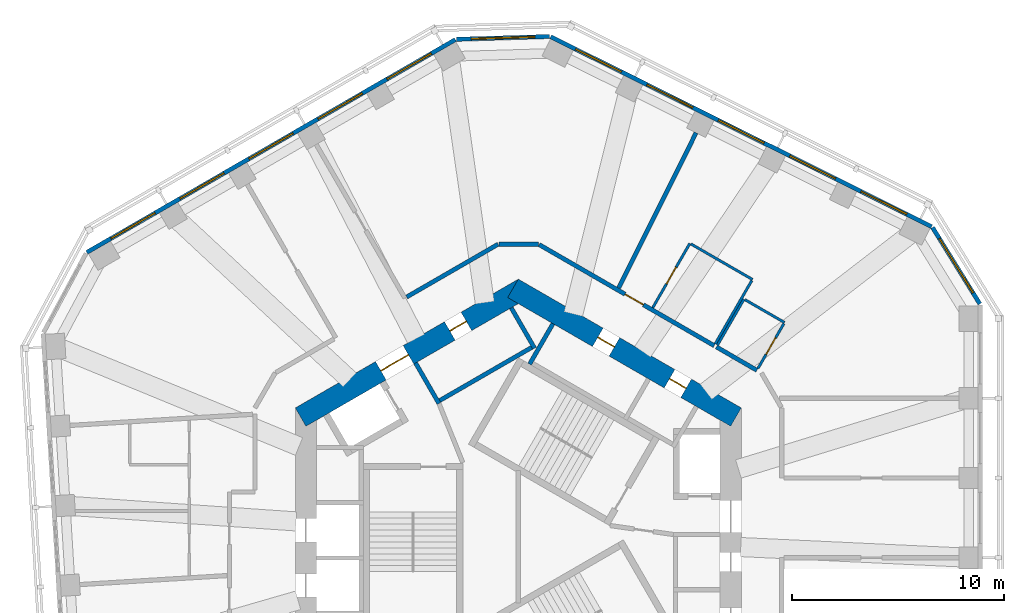
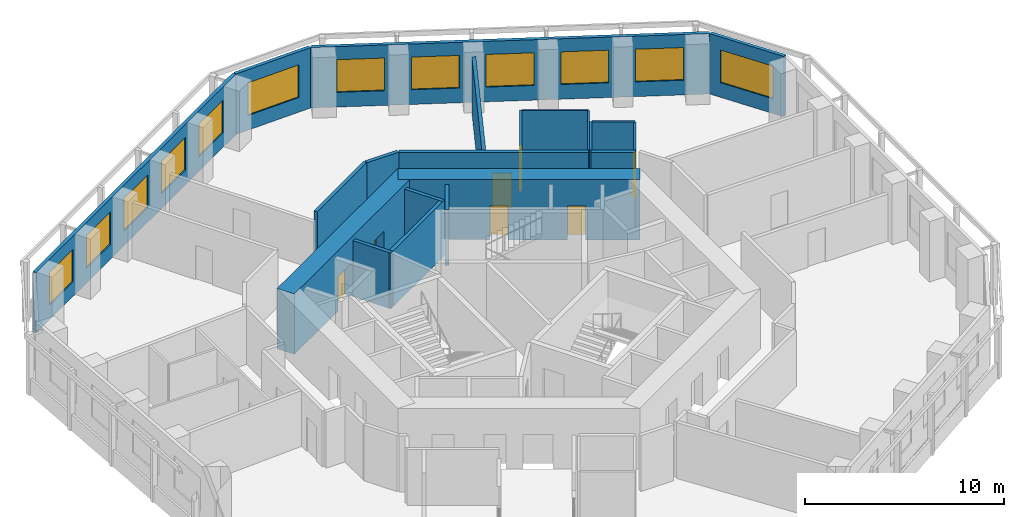
# One storey, part 7 of 10: 21 walls, 12 windows, 7 doors, 19 openings.
"""IFC4 building model written with IfcOpenShell, lengths in metres."""

from ifc_helpers import new_model, si_unit, direction, frame, frame_2d, origin, place, context, subcontext, project, spatial, rectangle, extrude, material, layer, layer_set, type_object, element, fill, save


model = new_model("IFC4")

# Units and contexts
model_context = context("Model", 3, precision=1e-05, world=origin(), true_north=direction((0.0, 1.0)))
body_context = subcontext(model_context, "Body", "Model", "MODEL_VIEW")
ifc_project = project(units=[si_unit("LENGTHUNIT", "METRE"), si_unit("AREAUNIT", "SQUARE_METRE"), si_unit("VOLUMEUNIT", "CUBIC_METRE"), si_unit("PLANEANGLEUNIT", "RADIAN"), si_unit("MASSUNIT", "GRAM", prefix="KILO")], contexts=[model_context])

# Site, building, storey
site_placement = place(None, origin())
site = spatial("IfcSite", under=ifc_project, at=site_placement, CompositionType="ELEMENT")
building_placement = place(site_placement, origin())
building = spatial("IfcBuilding", under=site, at=building_placement, Name="Vanh Sen Convention Tower", CompositionType="ELEMENT")
storey_placement = place(building_placement, frame((0.0, 0.0, 165.10009765625)))
storey = spatial("IfcBuildingStorey", under=building, at=storey_placement, Name="L40", CompositionType="ELEMENT", Elevation=165.10009765625)

# Wall, opening, door
ifc_material_1 = material(Name="Moisture-resistant gypsum board on steel studs", Category="steel")
ifc_layer_1 = layer(ifc_material_1, 0.1201171875)
ifc_layer_set_1 = layer_set([ifc_layer_1], Name="Moisture-resistant gypsum board on steel studs")
wall_type_1 = type_object("IfcWallType", Name="Bathroom partition 120", PredefinedType="PARTITIONING", material=ifc_layer_set_1)
wall_1_placement = place(storey_placement, frame((6.329833984375, 10.779296875, 0.0), z_axis=(0.0, 0.0, 1.0), x_axis=(0.500010275428, 0.866019471182, 0.0)))
wall_1 = element("IfcWall", 1, at=wall_1_placement, inside=storey, type_object=wall_type_1, Name="Bathroom partition 120", PredefinedType="PARTITIONING", context=body_context, shape_type="SweptSolid", body=[
    extrude(rectangle(XDim=3.5, YDim=0.1201171875, at=frame_2d((1.75, 0.0))), origin(), (0.0, 0.0, 1.0), 3.419921875),
])
opening_1_placement = place(wall_1_placement, frame((1.300048828125, 0.0, 0.0)))
opening_1 = element("IfcOpeningElement", 2, at=opening_1_placement, cuts=wall_1, Name="Opening D38104", PredefinedType="OPENING", context=body_context, shape_type="SweptSolid", body=[
    extrude(rectangle(XDim=0.89990234375, YDim=2.10009765625, at=frame_2d((0.449951171875, 1.050048828125))), frame((0.0, 0.070068359375, 0.0), z_axis=(0.0, -1.0, 0.0), x_axis=(1.0, 0.0, 0.0)), (0.0, 0.0, 1.0), 0.14013671875),
])
ifc_material_2 = material(Name="Laminate door in steel frame", Category="steel")
door_type_1 = type_object("IfcDoorType", Name="Room internal door 900", OperationType="SINGLE_SWING_LEFT", PredefinedType="DOOR", material=ifc_material_2)
door_1_placement = place(opening_1_placement, origin())
door_1 = element("IfcDoor", 3, at=door_1_placement, inside=storey, type_object=door_type_1, Name="Internal room door D38104", OperationType="SINGLE_SWING_LEFT", OverallHeight=2.10009765625, OverallWidth=0.89990234375, PredefinedType="DOOR", context=body_context, shape_type="SweptSolid", body=[
    extrude(rectangle(XDim=0.89990234375, YDim=2.10009765625, at=frame_2d((0.449951171875, 1.050048828125))), frame((0.0, 0.02490234375, 0.0), z_axis=(0.0, -1.0, 0.0), x_axis=(1.0, 0.0, 0.0)), (0.0, 0.0, 1.0), 0.050048828125),
])
fill(opening_1, door_1)

# Walls
wall_2_placement = place(storey_placement, frame((8.1318359375, 13.7802734375, 0.0), z_axis=(0.0, 0.0, 1.0), x_axis=(0.866039519639, -0.499975549825, 0.0)))
element("IfcWall", 4, at=wall_2_placement, inside=storey, type_object=wall_type_1, Name="Bathroom partition 120", PredefinedType="PARTITIONING", context=body_context, shape_type="SweptSolid", body=[
    extrude(rectangle(XDim=3.340087890625, YDim=0.1201171875, at=frame_2d((1.669921875, 0.0))), origin(), (0.0, 0.0, 1.0), 3.419921875),
])
wall_3_placement = place(storey_placement, frame((9.378173828125, 9.019287109375, 0.0), z_axis=(0.0, 0.0, 1.0), x_axis=(0.500004234368, 0.866022959057, 0.0)))
element("IfcWall", 5, at=wall_3_placement, inside=storey, type_object=wall_type_1, Name="Bathroom partition 120", PredefinedType="PARTITIONING", context=body_context, shape_type="SweptSolid", body=[
    extrude(rectangle(XDim=2.5, YDim=0.1201171875, at=frame_2d((1.25, 0.0))), origin(), (0.0, 0.0, 1.0), 3.419921875),
])
wall_4_placement = place(storey_placement, frame((10.68017578125, 11.154296875, 0.0), z_axis=(0.0, 0.0, 1.0), x_axis=(0.86600889856, -0.500028586798, 0.0)))
element("IfcWall", 6, at=wall_4_placement, inside=storey, type_object=wall_type_1, Name="Bathroom partition 120", PredefinedType="PARTITIONING", context=body_context, shape_type="SweptSolid", body=[
    extrude(rectangle(XDim=2.139892578125, YDim=0.1201171875, at=frame_2d((1.06982421875, 0.0))), origin(), (0.0, 0.0, 1.0), 3.419921875),
])
wall_5_placement = place(storey_placement, frame((10.994384765625, 12.058349609375, 0.0), z_axis=(0.0, 0.0, 1.0), x_axis=(-0.500009156386, -0.866020117278, 0.0)))
element("IfcWall", 7, at=wall_5_placement, inside=storey, type_object=wall_type_1, Name="Bathroom partition 120", PredefinedType="PARTITIONING", context=body_context, shape_type="SweptSolid", body=[
    extrude(rectangle(XDim=3.43994140625, YDim=0.1201171875, at=frame_2d((1.719970703125, 0.0))), origin(), (0.0, 0.0, 1.0), 3.419921875),
])

# Wall, opening, door
wall_6_placement = place(storey_placement, frame((12.50341796875, 10.0322265625, 0.0), z_axis=(0.0, 0.0, 1.0), x_axis=(-0.500002508028, -0.866023955769, 0.0)))
wall_6 = element("IfcWall", 8, at=wall_6_placement, inside=storey, type_object=wall_type_1, Name="Bathroom partition 120", PredefinedType="PARTITIONING", context=body_context, shape_type="SweptSolid", body=[
    extrude(rectangle(XDim=2.43994140625, YDim=0.1201171875, at=frame_2d((1.219970703125, 0.0))), origin(), (0.0, 0.0, 1.0), 3.419921875),
])
opening_2_placement = place(wall_6_placement, frame((0.77001953125, 0.0, 0.0)))
opening_2 = element("IfcOpeningElement", 9, at=opening_2_placement, cuts=wall_6, Name="Opening D38103", PredefinedType="OPENING", context=body_context, shape_type="SweptSolid", body=[
    extrude(rectangle(XDim=0.89990234375, YDim=2.10009765625, at=frame_2d((0.449951171875, 1.050048828125))), frame((0.0, 0.070068359375, 0.0), z_axis=(0.0, -1.0, 0.0), x_axis=(1.0, 0.0, 0.0)), (0.0, 0.0, 1.0), 0.14013671875),
])
door_2_placement = place(opening_2_placement, origin())
door_2 = element("IfcDoor", 10, at=door_2_placement, inside=storey, type_object=door_type_1, Name="Internal room door D38103", OperationType="SINGLE_SWING_LEFT", OverallHeight=2.10009765625, OverallWidth=0.89990234375, PredefinedType="DOOR", context=body_context, shape_type="SweptSolid", body=[
    extrude(rectangle(XDim=0.89990234375, YDim=2.10009765625, at=frame_2d((0.449951171875, 1.050048828125))), frame((0.0, 0.02490234375, 0.0), z_axis=(0.0, -1.0, 0.0), x_axis=(1.0, 0.0, 0.0)), (0.0, 0.0, 1.0), 0.050048828125),
])
fill(opening_2, door_2)

# Wall, openings, doors
ifc_material_3 = material(Name="Concrete C80/95", Category="concrete")
ifc_layer_2 = layer(ifc_material_3, 1.0)
ifc_layer_set_2 = layer_set([ifc_layer_2], Name="Concrete C80/95")
wall_type_2 = type_object("IfcWallType", Name="Core outer wall 1000 C80/95", PredefinedType="SHEAR", material=ifc_layer_set_2)
wall_7_placement = place(storey_placement, frame((10.25, 5.629150390625, 0.0), z_axis=(0.0, 0.0, 1.0), x_axis=(-0.866022616891, 0.50000482701, 0.0)))
wall_7 = element("IfcWall", 11, at=wall_7_placement, inside=storey, type_object=wall_type_2, Name="Core wall face NE L40", PredefinedType="SHEAR", context=body_context, shape_type="SweptSolid", body=[
    extrude(rectangle(XDim=12.12451171875, YDim=1.0, at=frame_2d((6.062255859375, 0.0))), origin(), (0.0, 0.0, 1.0), 3.699951171875),
])
opening_3_placement = place(wall_7_placement, frame((2.712158203125, 0.0, 0.0)))
opening_3 = element("IfcOpeningElement", 12, at=opening_3_placement, cuts=wall_7, Name="Opening D38011", PredefinedType="OPENING", context=body_context, shape_type="SweptSolid", body=[
    extrude(rectangle(XDim=0.89990234375, YDim=2.10009765625, at=frame_2d((0.449951171875, 1.050048828125))), frame((0.0, 0.510009765625, 0.0), z_axis=(0.0, -1.0, 0.0), x_axis=(1.0, 0.0, 0.0)), (0.0, 0.0, 1.0), 1.02001953125),
])
opening_4_placement = place(wall_7_placement, frame((6.6123046875, 0.0, 0.0)))
opening_4 = element("IfcOpeningElement", 13, at=opening_4_placement, cuts=wall_7, Name="Opening D38012", PredefinedType="OPENING", context=body_context, shape_type="SweptSolid", body=[
    extrude(rectangle(XDim=0.89990234375, YDim=2.10009765625, at=frame_2d((0.449951171875, 1.050048828125))), frame((0.0, 0.510009765625, 0.0), z_axis=(0.0, -1.0, 0.0), x_axis=(1.0, 0.0, 0.0)), (0.0, 0.0, 1.0), 1.02001953125),
])
ifc_material_4 = material(Name="Steel S355", Category="steel")
door_type_2 = type_object("IfcDoorType", Name="Plant door 900", OperationType="SINGLE_SWING_LEFT", PredefinedType="DOOR", material=ifc_material_4)
door_3_placement = place(opening_3_placement, origin())
door_3 = element("IfcDoor", 14, at=door_3_placement, inside=storey, type_object=door_type_2, Name="Plant door D38011", OperationType="SINGLE_SWING_LEFT", OverallHeight=2.10009765625, OverallWidth=0.89990234375, PredefinedType="DOOR", context=body_context, shape_type="SweptSolid", body=[
    extrude(rectangle(XDim=0.89990234375, YDim=2.10009765625, at=frame_2d((0.449951171875, 1.050048828125))), frame((0.0, 0.02490234375, 0.0), z_axis=(0.0, -1.0, 0.0), x_axis=(1.0, 0.0, 0.0)), (0.0, 0.0, 1.0), 0.050048828125),
])
fill(opening_3, door_3)
door_4_placement = place(opening_4_placement, origin())
door_4 = element("IfcDoor", 15, at=door_4_placement, inside=storey, type_object=door_type_2, Name="Plant door D38012", OperationType="SINGLE_SWING_LEFT", OverallHeight=2.10009765625, OverallWidth=0.89990234375, PredefinedType="DOOR", context=body_context, shape_type="SweptSolid", body=[
    extrude(rectangle(XDim=0.89990234375, YDim=2.10009765625, at=frame_2d((0.449951171875, 1.050048828125))), frame((0.0, 0.02490234375, 0.0), z_axis=(0.0, -1.0, 0.0), x_axis=(1.0, 0.0, 0.0)), (0.0, 0.0, 1.0), 0.050048828125),
])
fill(opening_4, door_4)

wall_8_placement = place(storey_placement, frame((0.25, 11.69140625, 0.0), z_axis=(0.0, 0.0, 1.0), x_axis=(-0.866022616891, -0.50000482701, 0.0)))
wall_8 = element("IfcWall", 16, at=wall_8_placement, inside=storey, type_object=wall_type_2, Name="Core wall face NW L40", PredefinedType="SHEAR", context=body_context, shape_type="SweptSolid", body=[
    extrude(rectangle(XDim=12.12451171875, YDim=1.0, at=frame_2d((6.062255859375, 0.0))), origin(), (0.0, 0.0, 1.0), 3.699951171875),
])
opening_5_placement = place(wall_8_placement, frame((6.26220703125, 0.0, 0.0)))
opening_5 = element("IfcOpeningElement", 17, at=opening_5_placement, cuts=wall_8, Name="Opening D38002", PredefinedType="OPENING", context=body_context, shape_type="SweptSolid", body=[
    extrude(rectangle(XDim=1.5, YDim=2.10009765625, at=frame_2d((0.75, 1.050048828125))), frame((0.0, 0.510009765625, 0.0), z_axis=(0.0, -1.0, 0.0), x_axis=(1.0, 0.0, 0.0)), (0.0, 0.0, 1.0), 1.02001953125),
])
opening_6_placement = place(wall_8_placement, frame((3.1123046875, 0.0, 0.0)))
opening_6 = element("IfcOpeningElement", 18, at=opening_6_placement, cuts=wall_8, Name="Opening D38013", PredefinedType="OPENING", context=body_context, shape_type="SweptSolid", body=[
    extrude(rectangle(XDim=0.89990234375, YDim=2.10009765625, at=frame_2d((0.449951171875, 1.050048828125))), frame((0.0, 0.510009765625, 0.0), z_axis=(0.0, -1.0, 0.0), x_axis=(1.0, 0.0, 0.0)), (0.0, 0.0, 1.0), 1.02001953125),
])
door_5_placement = place(opening_6_placement, origin())
door_5 = element("IfcDoor", 19, at=door_5_placement, inside=storey, type_object=door_type_2, Name="Plant door D38013", OperationType="SINGLE_SWING_LEFT", OverallHeight=2.10009765625, OverallWidth=0.89990234375, PredefinedType="DOOR", context=body_context, shape_type="SweptSolid", body=[
    extrude(rectangle(XDim=0.89990234375, YDim=2.10009765625, at=frame_2d((0.449951171875, 1.050048828125))), frame((0.0, 0.02490234375, 0.0), z_axis=(0.0, -1.0, 0.0), x_axis=(1.0, 0.0, 0.0)), (0.0, 0.0, 1.0), 0.050048828125),
])
fill(opening_6, door_5)
door_type_3 = type_object("IfcDoorType", Name="Stair lobby door 1500", OperationType="DOUBLE_DOOR_SINGLE_SWING", PredefinedType="DOOR", material=ifc_material_4)
door_6_placement = place(opening_5_placement, origin())
door_6 = element("IfcDoor", 20, at=door_6_placement, inside=storey, type_object=door_type_3, Name="Stair lobby door D38002", OperationType="DOUBLE_DOOR_SINGLE_SWING", OverallHeight=2.10009765625, OverallWidth=1.5, PredefinedType="DOOR", context=body_context, shape_type="SweptSolid", body=[
    extrude(rectangle(XDim=1.5, YDim=2.10009765625, at=frame_2d((0.75, 1.050048828125))), frame((0.0, 0.02490234375, 0.0), z_axis=(0.0, -1.0, 0.0), x_axis=(1.0, 0.0, 0.0)), (0.0, 0.0, 1.0), 0.050048828125),
])
fill(opening_5, door_6)

# Walls
ifc_material_5 = material(Name="Gypsum board on steel studs with mineral wool", Category="steel")
ifc_layer_3 = layer(ifc_material_5, 0.199951171875)
ifc_layer_set_3 = layer_set([ifc_layer_3], Name="Gypsum board on steel studs with mineral wool")
wall_type_3 = type_object("IfcWallType", Name="Corridor partition wall 200", PredefinedType="PARTITIONING", material=ifc_layer_set_3)
wall_9_placement = place(storey_placement, frame((-0.949951171875, 13.769775390625, 0.0), z_axis=(0.0, 0.0, 1.0), x_axis=(-0.866036689987, -0.499980451214, 0.0)))
element("IfcWall", 21, at=wall_9_placement, inside=storey, type_object=wall_type_3, Name="Corridor partition wall 200", PredefinedType="PARTITIONING", context=body_context, shape_type="SweptSolid", body=[
    extrude(rectangle(XDim=4.969482421875, YDim=0.199951171875, at=frame_2d((2.48486328125, 0.0))), origin(), (0.0, 0.0, 1.0), 3.419921875),
])
wall_10_placement = place(storey_placement, frame((0.949951171875, 13.769775390625, 0.0), z_axis=(0.0, 0.0, 1.0), x_axis=(-1.0, 0.0, 0.0)))
element("IfcWall", 22, at=wall_10_placement, inside=storey, type_object=wall_type_3, Name="Corridor partition wall 200", PredefinedType="PARTITIONING", context=body_context, shape_type="SweptSolid", body=[
    extrude(rectangle(XDim=1.85986328125, YDim=0.199951171875, at=frame_2d((0.929931640625, 0.0))), origin(), (0.0, 0.0, 1.0), 3.419921875),
])

# Wall, opening, door
wall_11_placement = place(storey_placement, frame((9.224365234375, 8.99267578125, 0.0), z_axis=(0.0, 0.0, 1.0), x_axis=(-0.866031754707, 0.499988999718, 0.0)))
wall_11 = element("IfcWall", 23, at=wall_11_placement, inside=storey, type_object=wall_type_3, Name="Corridor partition wall 200", PredefinedType="PARTITIONING", context=body_context, shape_type="SweptSolid", body=[
    extrude(rectangle(XDim=9.514404296875, YDim=0.199951171875, at=frame_2d((4.75732421875, 0.0))), origin(), (0.0, 0.0, 1.0), 3.419921875),
])
opening_7_placement = place(wall_11_placement, frame((3.84765625, 0.0, 0.0)))
opening_7 = element("IfcOpeningElement", 24, at=opening_7_placement, cuts=wall_11, Name="Opening D38102", PredefinedType="OPENING", context=body_context, shape_type="SweptSolid", body=[
    extrude(rectangle(XDim=1.0, YDim=2.10009765625, at=frame_2d((0.5, 1.050048828125))), frame((0.0, 0.10986328125, 0.0), z_axis=(0.0, -1.0, 0.0), x_axis=(1.0, 0.0, 0.0)), (0.0, 0.0, 1.0), 0.219970703125),
])
ifc_material_6 = material(Name="Glazed fire door in steel frame", Category="steel")
door_type_4 = type_object("IfcDoorType", Name="Tenant entrance door 1000", OperationType="SINGLE_SWING_LEFT", PredefinedType="DOOR", material=ifc_material_6)
door_7_placement = place(opening_7_placement, origin())
door_7 = element("IfcDoor", 25, at=door_7_placement, inside=storey, type_object=door_type_4, Name="Tenant suite entrance door D38102", OperationType="SINGLE_SWING_LEFT", OverallHeight=2.10009765625, OverallWidth=1.0, PredefinedType="DOOR", context=body_context, shape_type="SweptSolid", body=[
    extrude(rectangle(XDim=1.0, YDim=2.10009765625, at=frame_2d((0.5, 1.050048828125))), frame((0.0, 0.02490234375, 0.0), z_axis=(0.0, -1.0, 0.0), x_axis=(1.0, 0.0, 0.0)), (0.0, 0.0, 1.0), 0.050048828125),
])
fill(opening_7, door_7)

# Wall
wall_12_placement = place(storey_placement, frame((11.2333984375, 7.83251953125, 0.0), z_axis=(0.0, 0.0, 1.0), x_axis=(-0.866008176907, 0.50002983664, 0.0)))
element("IfcWall", 26, at=wall_12_placement, inside=storey, type_object=wall_type_3, Name="Corridor partition wall 200", PredefinedType="PARTITIONING", context=body_context, shape_type="SweptSolid", body=[
    extrude(rectangle(XDim=2.199951171875, YDim=0.199951171875, at=frame_2d((1.10009765625, 0.0))), origin(), (0.0, 0.0, 1.0), 3.419921875),
])

# Wall, opening, window
ifc_material_7 = material(Name="Insulated lightweight infill wall")
ifc_layer_4 = layer(ifc_material_7, 0.199951171875)
ifc_layer_set_4 = layer_set([ifc_layer_4], Name="Insulated lightweight infill wall")
wall_type_4 = type_object("IfcWallType", Name="External wall 200", PredefinedType="STANDARD", material=ifc_layer_set_4)
wall_13_placement = place(storey_placement, frame((21.735107421875, 10.9580078125, 0.0), z_axis=(0.0, 0.0, 1.0), x_axis=(-0.526213807775, 0.850352296702, 0.0)))
wall_13 = element("IfcWall", 27, at=wall_13_placement, inside=storey, type_object=wall_type_4, Name="External wall CH1 L40", PredefinedType="STANDARD", context=body_context, shape_type="SweptSolid", body=[
    extrude(rectangle(XDim=4.23828125, YDim=0.199951171875, at=frame_2d((2.119140625, 0.0))), origin(), (0.0, 0.0, 1.0), 3.699951171875),
])
opening_8_placement = place(wall_13_placement, frame((0.619140625, 0.0, 0.89990234375)))
opening_8 = element("IfcOpeningElement", 28, at=opening_8_placement, cuts=wall_13, Name="Opening WO2-CH11", PredefinedType="OPENING", context=body_context, shape_type="SweptSolid", body=[
    extrude(rectangle(XDim=3.0, YDim=2.0, at=frame_2d((1.5, 1.0))), frame((0.0, 0.10986328125, 0.0), z_axis=(0.0, -1.0, 0.0), x_axis=(1.0, 0.0, 0.0)), (0.0, 0.0, 1.0), 0.219970703125),
])
ifc_material_8 = material(Name="Aluminium frame with clear low-emissivity glass", Category="aluminium")
window_type_1 = type_object("IfcWindowType", Name="Office window 3000 x 2000", PartitioningType="SINGLE_PANEL", PredefinedType="WINDOW", material=ifc_material_8)
window_1_placement = place(opening_8_placement, origin())
window_1 = element("IfcWindow", 29, at=window_1_placement, inside=storey, type_object=window_type_1, Name="Window WO2-CH11", OverallHeight=2.0, OverallWidth=3.0, PartitioningType="SINGLE_PANEL", PredefinedType="WINDOW", context=body_context, shape_type="SweptSolid", body=[
    extrude(rectangle(XDim=3.0, YDim=2.0, at=frame_2d((1.5, 1.0))), frame((0.0, 0.030029296875, 0.0), z_axis=(0.0, -1.0, 0.0), x_axis=(1.0, 0.0, 0.0)), (0.0, 0.0, 1.0), 0.06005859375),
])
fill(opening_8, window_1)

# Wall, openings, windows
wall_14_placement = place(storey_placement, frame((19.46435546875, 14.598876953125, 0.0), z_axis=(0.0, 0.0, 1.0), x_axis=(-0.894935755043, 0.446195018289, 0.0)))
wall_14 = element("IfcWall", 30, at=wall_14_placement, inside=storey, type_object=wall_type_4, Name="External wall NE L40", PredefinedType="STANDARD", context=body_context, shape_type="SweptSolid", body=[
    extrude(rectangle(XDim=20.043701171875, YDim=0.199951171875, at=frame_2d((10.02197265625, 0.0))), origin(), (0.0, 0.0, 1.0), 3.699951171875),
])
opening_9_placement = place(wall_14_placement, frame((1.31298828125, 0.0, 0.89990234375)))
opening_9 = element("IfcOpeningElement", 31, at=opening_9_placement, cuts=wall_14, Name="Opening WO1-NE1", PredefinedType="OPENING", context=body_context, shape_type="SweptSolid", body=[
    extrude(rectangle(XDim=2.39990234375, YDim=2.0, at=frame_2d((1.199951171875, 1.0))), frame((0.0, 0.10986328125, 0.0), z_axis=(0.0, -1.0, 0.0), x_axis=(1.0, 0.0, 0.0)), (0.0, 0.0, 1.0), 0.219970703125),
])
opening_10_placement = place(wall_14_placement, frame((5.06689453125, 0.0, 0.89990234375)))
opening_10 = element("IfcOpeningElement", 32, at=opening_10_placement, cuts=wall_14, Name="Opening WO1-NE2", PredefinedType="OPENING", context=body_context, shape_type="SweptSolid", body=[
    extrude(rectangle(XDim=2.39990234375, YDim=2.0, at=frame_2d((1.199951171875, 1.0))), frame((0.0, 0.10986328125, 0.0), z_axis=(0.0, -1.0, 0.0), x_axis=(1.0, 0.0, 0.0)), (0.0, 0.0, 1.0), 0.219970703125),
])
opening_11_placement = place(wall_14_placement, frame((8.821044921875, 0.0, 0.89990234375)))
opening_11 = element("IfcOpeningElement", 33, at=opening_11_placement, cuts=wall_14, Name="Opening WO1-NE3", PredefinedType="OPENING", context=body_context, shape_type="SweptSolid", body=[
    extrude(rectangle(XDim=2.39990234375, YDim=2.0, at=frame_2d((1.199951171875, 1.0))), frame((0.0, 0.10986328125, 0.0), z_axis=(0.0, -1.0, 0.0), x_axis=(1.0, 0.0, 0.0)), (0.0, 0.0, 1.0), 0.219970703125),
])
opening_12_placement = place(wall_14_placement, frame((12.5751953125, 0.0, 0.89990234375)))
opening_12 = element("IfcOpeningElement", 34, at=opening_12_placement, cuts=wall_14, Name="Opening WO1-NE4", PredefinedType="OPENING", context=body_context, shape_type="SweptSolid", body=[
    extrude(rectangle(XDim=2.39990234375, YDim=2.0, at=frame_2d((1.199951171875, 1.0))), frame((0.0, 0.10986328125, 0.0), z_axis=(0.0, -1.0, 0.0), x_axis=(1.0, 0.0, 0.0)), (0.0, 0.0, 1.0), 0.219970703125),
])
opening_13_placement = place(wall_14_placement, frame((16.329345703125, 0.0, 0.89990234375)))
opening_13 = element("IfcOpeningElement", 35, at=opening_13_placement, cuts=wall_14, Name="Opening WO1-NE5", PredefinedType="OPENING", context=body_context, shape_type="SweptSolid", body=[
    extrude(rectangle(XDim=2.39990234375, YDim=2.0, at=frame_2d((1.199951171875, 1.0))), frame((0.0, 0.10986328125, 0.0), z_axis=(0.0, -1.0, 0.0), x_axis=(1.0, 0.0, 0.0)), (0.0, 0.0, 1.0), 0.219970703125),
])
window_type_2 = type_object("IfcWindowType", Name="Office window 2400 x 2000", PartitioningType="SINGLE_PANEL", PredefinedType="WINDOW", material=ifc_material_8)
window_2_placement = place(opening_9_placement, origin())
window_2 = element("IfcWindow", 36, at=window_2_placement, inside=storey, type_object=window_type_2, Name="Window WO1-NE1", OverallHeight=2.0, OverallWidth=2.39990234375, PartitioningType="SINGLE_PANEL", PredefinedType="WINDOW", context=body_context, shape_type="SweptSolid", body=[
    extrude(rectangle(XDim=2.39990234375, YDim=2.0, at=frame_2d((1.199951171875, 1.0))), frame((0.0, 0.030029296875, 0.0), z_axis=(0.0, -1.0, 0.0), x_axis=(1.0, 0.0, 0.0)), (0.0, 0.0, 1.0), 0.06005859375),
])
fill(opening_9, window_2)
window_3_placement = place(opening_10_placement, origin())
window_3 = element("IfcWindow", 37, at=window_3_placement, inside=storey, type_object=window_type_2, Name="Window WO1-NE2", OverallHeight=2.0, OverallWidth=2.39990234375, PartitioningType="SINGLE_PANEL", PredefinedType="WINDOW", context=body_context, shape_type="SweptSolid", body=[
    extrude(rectangle(XDim=2.39990234375, YDim=2.0, at=frame_2d((1.199951171875, 1.0))), frame((0.0, 0.030029296875, 0.0), z_axis=(0.0, -1.0, 0.0), x_axis=(1.0, 0.0, 0.0)), (0.0, 0.0, 1.0), 0.06005859375),
])
fill(opening_10, window_3)
window_4_placement = place(opening_11_placement, origin())
window_4 = element("IfcWindow", 38, at=window_4_placement, inside=storey, type_object=window_type_2, Name="Window WO1-NE3", OverallHeight=2.0, OverallWidth=2.39990234375, PartitioningType="SINGLE_PANEL", PredefinedType="WINDOW", context=body_context, shape_type="SweptSolid", body=[
    extrude(rectangle(XDim=2.39990234375, YDim=2.0, at=frame_2d((1.199951171875, 1.0))), frame((0.0, 0.030029296875, 0.0), z_axis=(0.0, -1.0, 0.0), x_axis=(1.0, 0.0, 0.0)), (0.0, 0.0, 1.0), 0.06005859375),
])
fill(opening_11, window_4)
window_5_placement = place(opening_12_placement, origin())
window_5 = element("IfcWindow", 39, at=window_5_placement, inside=storey, type_object=window_type_2, Name="Window WO1-NE4", OverallHeight=2.0, OverallWidth=2.39990234375, PartitioningType="SINGLE_PANEL", PredefinedType="WINDOW", context=body_context, shape_type="SweptSolid", body=[
    extrude(rectangle(XDim=2.39990234375, YDim=2.0, at=frame_2d((1.199951171875, 1.0))), frame((0.0, 0.030029296875, 0.0), z_axis=(0.0, -1.0, 0.0), x_axis=(1.0, 0.0, 0.0)), (0.0, 0.0, 1.0), 0.06005859375),
])
fill(opening_12, window_5)
window_6_placement = place(opening_13_placement, origin())
window_6 = element("IfcWindow", 40, at=window_6_placement, inside=storey, type_object=window_type_2, Name="Window WO1-NE5", OverallHeight=2.0, OverallWidth=2.39990234375, PartitioningType="SINGLE_PANEL", PredefinedType="WINDOW", context=body_context, shape_type="SweptSolid", body=[
    extrude(rectangle(XDim=2.39990234375, YDim=2.0, at=frame_2d((1.199951171875, 1.0))), frame((0.0, 0.030029296875, 0.0), z_axis=(0.0, -1.0, 0.0), x_axis=(1.0, 0.0, 0.0)), (0.0, 0.0, 1.0), 0.06005859375),
])
fill(opening_13, window_6)

# Wall, opening, window
wall_15_placement = place(storey_placement, frame((1.478759765625, 23.552734375, 0.0), z_axis=(0.0, 0.0, 1.0), x_axis=(-0.999534786117, -0.03049936625, 0.0)))
wall_15 = element("IfcWall", 41, at=wall_15_placement, inside=storey, type_object=wall_type_4, Name="External wall CH2 L40", PredefinedType="STANDARD", context=body_context, shape_type="SweptSolid", body=[
    extrude(rectangle(XDim=4.39453125, YDim=0.199951171875, at=frame_2d((2.197265625, 0.0))), origin(), (0.0, 0.0, 1.0), 3.699951171875),
])
opening_14_placement = place(wall_15_placement, frame((0.697509765625, 0.0, 0.89990234375)))
opening_14 = element("IfcOpeningElement", 42, at=opening_14_placement, cuts=wall_15, Name="Opening WO2-CH21", PredefinedType="OPENING", context=body_context, shape_type="SweptSolid", body=[
    extrude(rectangle(XDim=3.0, YDim=2.0, at=frame_2d((1.5, 1.0))), frame((0.0, 0.10986328125, 0.0), z_axis=(0.0, -1.0, 0.0), x_axis=(1.0, 0.0, 0.0)), (0.0, 0.0, 1.0), 0.219970703125),
])
window_7_placement = place(opening_14_placement, origin())
window_7 = element("IfcWindow", 43, at=window_7_placement, inside=storey, type_object=window_type_1, Name="Window WO2-CH21", OverallHeight=2.0, OverallWidth=3.0, PartitioningType="SINGLE_PANEL", PredefinedType="WINDOW", context=body_context, shape_type="SweptSolid", body=[
    extrude(rectangle(XDim=3.0, YDim=2.0, at=frame_2d((1.5, 1.0))), frame((0.0, 0.030029296875, 0.0), z_axis=(0.0, -1.0, 0.0), x_axis=(1.0, 0.0, 0.0)), (0.0, 0.0, 1.0), 0.06005859375),
])
fill(opening_14, window_7)

# Wall, openings, windows
wall_16_placement = place(storey_placement, frame((-2.9609375, 23.4052734375, 0.0), z_axis=(0.0, 0.0, 1.0), x_axis=(-0.866023315909, -0.500003616288, 0.0)))
wall_16 = element("IfcWall", 44, at=wall_16_placement, inside=storey, type_object=wall_type_4, Name="External wall NW L40", PredefinedType="STANDARD", context=body_context, shape_type="SweptSolid", body=[
    extrude(rectangle(XDim=20.043701171875, YDim=0.199951171875, at=frame_2d((10.02197265625, 0.0))), origin(), (0.0, 0.0, 1.0), 3.699951171875),
])
opening_15_placement = place(wall_16_placement, frame((1.314453125, 0.0, 0.89990234375)))
opening_15 = element("IfcOpeningElement", 45, at=opening_15_placement, cuts=wall_16, Name="Opening WO1-NW1", PredefinedType="OPENING", context=body_context, shape_type="SweptSolid", body=[
    extrude(rectangle(XDim=2.39990234375, YDim=2.0, at=frame_2d((1.199951171875, 1.0))), frame((0.0, 0.10986328125, 0.0), z_axis=(0.0, -1.0, 0.0), x_axis=(1.0, 0.0, 0.0)), (0.0, 0.0, 1.0), 0.219970703125),
])
opening_16_placement = place(wall_16_placement, frame((5.068603515625, 0.0, 0.89990234375)))
opening_16 = element("IfcOpeningElement", 46, at=opening_16_placement, cuts=wall_16, Name="Opening WO1-NW2", PredefinedType="OPENING", context=body_context, shape_type="SweptSolid", body=[
    extrude(rectangle(XDim=2.39990234375, YDim=2.0, at=frame_2d((1.199951171875, 1.0))), frame((0.0, 0.10986328125, 0.0), z_axis=(0.0, -1.0, 0.0), x_axis=(1.0, 0.0, 0.0)), (0.0, 0.0, 1.0), 0.219970703125),
])
opening_17_placement = place(wall_16_placement, frame((8.82275390625, 0.0, 0.89990234375)))
opening_17 = element("IfcOpeningElement", 47, at=opening_17_placement, cuts=wall_16, Name="Opening WO1-NW3", PredefinedType="OPENING", context=body_context, shape_type="SweptSolid", body=[
    extrude(rectangle(XDim=2.39990234375, YDim=2.0, at=frame_2d((1.199951171875, 1.0))), frame((0.0, 0.10986328125, 0.0), z_axis=(0.0, -1.0, 0.0), x_axis=(1.0, 0.0, 0.0)), (0.0, 0.0, 1.0), 0.219970703125),
])
opening_18_placement = place(wall_16_placement, frame((12.576904296875, 0.0, 0.89990234375)))
opening_18 = element("IfcOpeningElement", 48, at=opening_18_placement, cuts=wall_16, Name="Opening WO1-NW4", PredefinedType="OPENING", context=body_context, shape_type="SweptSolid", body=[
    extrude(rectangle(XDim=2.39990234375, YDim=2.0, at=frame_2d((1.199951171875, 1.0))), frame((0.0, 0.10986328125, 0.0), z_axis=(0.0, -1.0, 0.0), x_axis=(1.0, 0.0, 0.0)), (0.0, 0.0, 1.0), 0.219970703125),
])
opening_19_placement = place(wall_16_placement, frame((16.330810546875, 0.0, 0.89990234375)))
opening_19 = element("IfcOpeningElement", 49, at=opening_19_placement, cuts=wall_16, Name="Opening WO1-NW5", PredefinedType="OPENING", context=body_context, shape_type="SweptSolid", body=[
    extrude(rectangle(XDim=2.39990234375, YDim=2.0, at=frame_2d((1.199951171875, 1.0))), frame((0.0, 0.10986328125, 0.0), z_axis=(0.0, -1.0, 0.0), x_axis=(1.0, 0.0, 0.0)), (0.0, 0.0, 1.0), 0.219970703125),
])
window_8_placement = place(opening_15_placement, origin())
window_8 = element("IfcWindow", 50, at=window_8_placement, inside=storey, type_object=window_type_2, Name="Window WO1-NW1", OverallHeight=2.0, OverallWidth=2.39990234375, PartitioningType="SINGLE_PANEL", PredefinedType="WINDOW", context=body_context, shape_type="SweptSolid", body=[
    extrude(rectangle(XDim=2.39990234375, YDim=2.0, at=frame_2d((1.199951171875, 1.0))), frame((0.0, 0.030029296875, 0.0), z_axis=(0.0, -1.0, 0.0), x_axis=(1.0, 0.0, 0.0)), (0.0, 0.0, 1.0), 0.06005859375),
])
fill(opening_15, window_8)
window_9_placement = place(opening_16_placement, origin())
window_9 = element("IfcWindow", 51, at=window_9_placement, inside=storey, type_object=window_type_2, Name="Window WO1-NW2", OverallHeight=2.0, OverallWidth=2.39990234375, PartitioningType="SINGLE_PANEL", PredefinedType="WINDOW", context=body_context, shape_type="SweptSolid", body=[
    extrude(rectangle(XDim=2.39990234375, YDim=2.0, at=frame_2d((1.199951171875, 1.0))), frame((0.0, 0.030029296875, 0.0), z_axis=(0.0, -1.0, 0.0), x_axis=(1.0, 0.0, 0.0)), (0.0, 0.0, 1.0), 0.06005859375),
])
fill(opening_16, window_9)
window_10_placement = place(opening_17_placement, origin())
window_10 = element("IfcWindow", 52, at=window_10_placement, inside=storey, type_object=window_type_2, Name="Window WO1-NW3", OverallHeight=2.0, OverallWidth=2.39990234375, PartitioningType="SINGLE_PANEL", PredefinedType="WINDOW", context=body_context, shape_type="SweptSolid", body=[
    extrude(rectangle(XDim=2.39990234375, YDim=2.0, at=frame_2d((1.199951171875, 1.0))), frame((0.0, 0.030029296875, 0.0), z_axis=(0.0, -1.0, 0.0), x_axis=(1.0, 0.0, 0.0)), (0.0, 0.0, 1.0), 0.06005859375),
])
fill(opening_17, window_10)
window_11_placement = place(opening_18_placement, origin())
window_11 = element("IfcWindow", 53, at=window_11_placement, inside=storey, type_object=window_type_2, Name="Window WO1-NW4", OverallHeight=2.0, OverallWidth=2.39990234375, PartitioningType="SINGLE_PANEL", PredefinedType="WINDOW", context=body_context, shape_type="SweptSolid", body=[
    extrude(rectangle(XDim=2.39990234375, YDim=2.0, at=frame_2d((1.199951171875, 1.0))), frame((0.0, 0.030029296875, 0.0), z_axis=(0.0, -1.0, 0.0), x_axis=(1.0, 0.0, 0.0)), (0.0, 0.0, 1.0), 0.06005859375),
])
fill(opening_18, window_11)
window_12_placement = place(opening_19_placement, origin())
window_12 = element("IfcWindow", 54, at=window_12_placement, inside=storey, type_object=window_type_2, Name="Window WO1-NW5", OverallHeight=2.0, OverallWidth=2.39990234375, PartitioningType="SINGLE_PANEL", PredefinedType="WINDOW", context=body_context, shape_type="SweptSolid", body=[
    extrude(rectangle(XDim=2.39990234375, YDim=2.0, at=frame_2d((1.199951171875, 1.0))), frame((0.0, 0.030029296875, 0.0), z_axis=(0.0, -1.0, 0.0), x_axis=(1.0, 0.0, 0.0)), (0.0, 0.0, 1.0), 0.06005859375),
])
fill(opening_19, window_12)

# Walls
ifc_material_9 = material(Name="Concrete C40/50", Category="concrete")
ifc_layer_5 = layer(ifc_material_9, 0.199951171875)
ifc_layer_set_5 = layer_set([ifc_layer_5], Name="Concrete C40/50")
wall_type_5 = type_object("IfcWallType", Name="Lift shaft wall 200", PredefinedType="PARTITIONING", material=ifc_layer_set_5)
wall_17_placement = place(storey_placement, frame((0.5322265625, 8.1220703125, 0.0), z_axis=(0.0, 0.0, 1.0), x_axis=(0.500077893725, 0.86598042715, 0.0)))
element("IfcWall", 55, at=wall_17_placement, inside=storey, type_object=wall_type_5, Name="Lift shaft wall L40", PredefinedType="PARTITIONING", context=body_context, shape_type="SweptSolid", body=[
    extrude(rectangle(XDim=2.199951171875, YDim=0.199951171875, at=frame_2d((1.10009765625, 0.0))), origin(), (0.0, 0.0, 1.0), 3.419921875),
])
wall_18_placement = place(storey_placement, frame((0.80322265625, 9.008544921875, 0.0), z_axis=(0.0, 0.0, 1.0), x_axis=(-0.866028230842, -0.499995103361, 0.0)))
element("IfcWall", 56, at=wall_18_placement, inside=storey, type_object=wall_type_5, Name="Lift shaft wall L40", PredefinedType="PARTITIONING", context=body_context, shape_type="SweptSolid", body=[
    extrude(rectangle(XDim=5.39990234375, YDim=0.199951171875, at=frame_2d((2.699951171875, 0.0))), origin(), (0.0, 0.0, 1.0), 3.419921875),
])
wall_19_placement = place(storey_placement, frame((0.7666015625, 8.8720703125, 0.0), z_axis=(0.0, 0.0, 1.0), x_axis=(-0.499994660107, 0.866028486751, 0.0)))
element("IfcWall", 57, at=wall_19_placement, inside=storey, type_object=wall_type_5, Name="Lift shaft wall L40", PredefinedType="PARTITIONING", context=body_context, shape_type="SweptSolid", body=[
    extrude(rectangle(XDim=2.19970703125, YDim=0.199951171875, at=frame_2d((1.099853515625, 0.0))), origin(), (0.0, 0.0, 1.0), 3.419921875),
])
wall_20_placement = place(storey_placement, frame((-3.736572265625, 6.27197265625, 0.0), z_axis=(0.0, 0.0, 1.0), x_axis=(-0.50002983664, 0.866008176907, 0.0)))
element("IfcWall", 58, at=wall_20_placement, inside=storey, type_object=wall_type_5, Name="Lift shaft wall L40", PredefinedType="PARTITIONING", context=body_context, shape_type="SweptSolid", body=[
    extrude(rectangle(XDim=2.199951171875, YDim=0.199951171875, at=frame_2d((1.10009765625, 0.0))), origin(), (0.0, 0.0, 1.0), 3.419921875),
])
ifc_layer_6 = layer(ifc_material_5, 0.199951171875)
ifc_layer_set_6 = layer_set([ifc_layer_6], Name="Gypsum board on steel studs with mineral wool")
wall_type_6 = type_object("IfcWallType", Name="Tenant suite wall 200", PredefinedType="PARTITIONING", material=ifc_layer_set_6)
wall_21_placement = place(storey_placement, frame((8.3701171875, 19.012939453125, 0.0), z_axis=(0.0, 0.0, 1.0), x_axis=(-0.446183598632, -0.894941448538, 0.0)))
element("IfcWall", 59, at=wall_21_placement, inside=storey, type_object=wall_type_6, Name="Tenant suite wall 200", PredefinedType="PARTITIONING", context=body_context, shape_type="SweptSolid", body=[
    extrude(rectangle(XDim=8.15625, YDim=0.199951171875, at=frame_2d((4.078125, 0.0))), origin(), (0.0, 0.0, 1.0), 3.419921875),
])

save(model, "model.ifc")
